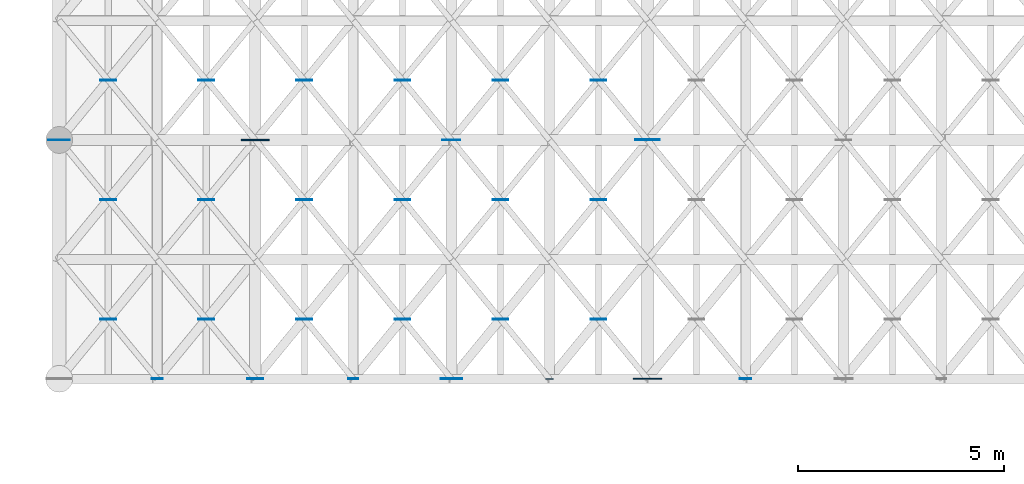
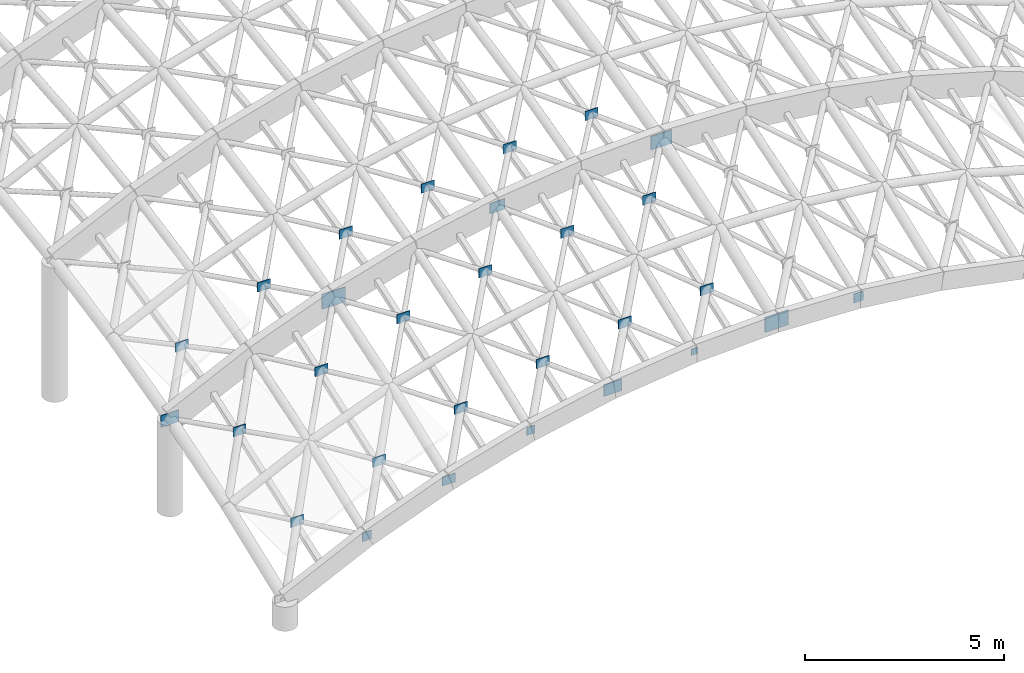
# One storey, part 123 of 146: 29 plates.
"""IFC4 building model written with IfcOpenShell, lengths in metres."""

from ifc_helpers import new_model, si_unit, direction, frame, origin, origin_2d, place, context, subcontext, project, spatial, rectangle, extrude, material, layer, layer_set, type_object, element, save


model = new_model("IFC4")

# Units and contexts
model_context = context("Model", 3, precision=1e-05, world=origin(), true_north=direction((0.0, 1.0)))
body_context = subcontext(model_context, "Body", "Model", "MODEL_VIEW")
ifc_project = project(units=[si_unit("LENGTHUNIT", "METRE"), si_unit("AREAUNIT", "SQUARE_METRE"), si_unit("VOLUMEUNIT", "CUBIC_METRE"), si_unit("PLANEANGLEUNIT", "RADIAN"), si_unit("MASSUNIT", "GRAM", prefix="KILO")], contexts=[model_context])

# Site, building, storey
site_placement = place(None, origin())
site = spatial("IfcSite", under=ifc_project, at=site_placement, CompositionType="ELEMENT")
building_placement = place(site_placement, origin())
building = spatial("IfcBuilding", under=site, at=building_placement, Name="Valcora Specialist Clinic", CompositionType="ELEMENT")
storey_placement = place(building_placement, frame((0.0, 0.0, 9.52001953125)))
storey = spatial("IfcBuildingStorey", under=building, at=storey_placement, Name="L02", CompositionType="ELEMENT", Elevation=9.52001953125)

# Plates
ifc_material = material(Name="Steel ASTM A572 Grade 50", Category="steel")
ifc_layer_1 = layer(ifc_material, 0.01611328125)
ifc_layer_set_1 = layer_set([ifc_layer_1], Name="Steel ASTM A572 Grade 50")
plate_type_1 = type_object("IfcPlateType", Name="TY-PL-EC168", PredefinedType="USERDEFINED", material=ifc_layer_set_1)
plate_1_placement = place(storey_placement, frame((12.625, 38.75, 4.10693359375), z_axis=(0.0, 0.0, 1.0), x_axis=(1.0, 0.0, 0.0)))
element("IfcPlate", 1, at=plate_1_placement, inside=storey, type_object=plate_type_1, Name="Gridshell chord end-cap 3", ObjectType="FLANGE_PLATE", PredefinedType="USERDEFINED", context=body_context, shape_type="SweptSolid", body=[
    extrude(rectangle(XDim=0.18994140625, YDim=0.01611328125, at=origin_2d()), origin(), (0.0, 0.0, 1.0), 0.18994140625),
])
ifc_layer_2 = layer(ifc_material, 0.01806640625)
ifc_layer_set_2 = layer_set([ifc_layer_2], Name="Steel ASTM A572 Grade 50")
plate_type_2 = type_object("IfcPlateType", Name="TY-PL-EC219", PredefinedType="USERDEFINED", material=ifc_layer_set_2)
plate_2_placement = place(storey_placement, frame((7.875, 38.75, 3.32568359375), z_axis=(0.0, 0.0, 1.0), x_axis=(1.0, 0.0, 0.0)))
element("IfcPlate", 2, at=plate_2_placement, inside=storey, type_object=plate_type_2, Name="Gridshell chord end-cap 2", ObjectType="FLANGE_PLATE", PredefinedType="USERDEFINED", context=body_context, shape_type="SweptSolid", body=[
    extrude(rectangle(XDim=0.239990234375, YDim=0.01806640625, at=origin_2d()), origin(), (0.0, 0.0, 1.0), 0.239990234375),
])
ifc_layer_3 = layer(ifc_material, 0.01806640625)
ifc_layer_set_3 = layer_set([ifc_layer_3], Name="Steel ASTM A572 Grade 50")
plate_type_3 = type_object("IfcPlateType", Name="TY-PL-EC244", PredefinedType="USERDEFINED", material=ifc_layer_set_3)
plate_3_placement = place(storey_placement, frame((3.125, 38.75, 1.737548828125), z_axis=(0.0, 0.0, 1.0), x_axis=(1.0, 0.0, 0.0)))
element("IfcPlate", 3, at=plate_3_placement, inside=storey, type_object=plate_type_3, Name="Gridshell chord end-cap 1", ObjectType="FLANGE_PLATE", PredefinedType="USERDEFINED", context=body_context, shape_type="SweptSolid", body=[
    extrude(rectangle(XDim=0.27001953125, YDim=0.01806640625, at=origin_2d()), origin(), (0.0, 0.0, 1.0), 0.27001953125),
])
ifc_layer_4 = layer(ifc_material, 0.02001953125)
ifc_layer_set_4 = layer_set([ifc_layer_4], Name="Steel ASTM A572 Grade 50")
plate_type_4 = type_object("IfcPlateType", Name="TY-PL-EC250", PredefinedType="USERDEFINED", material=ifc_layer_set_4)
plate_4_placement = place(storey_placement, frame((17.375, 38.75, 4.06201171875), z_axis=(0.0, 0.0, 1.0), x_axis=(1.0, 0.0, 0.0)))
element("IfcPlate", 4, at=plate_4_placement, inside=storey, type_object=plate_type_4, Name="Gridshell chord end-cap 4", ObjectType="FLANGE_PLATE", PredefinedType="USERDEFINED", context=body_context, shape_type="SweptSolid", body=[
    extrude(rectangle(XDim=0.280029296875, YDim=0.02001953125, at=origin_2d()), origin(), (0.0, 0.0, 1.0), 0.280029296875),
])
ifc_layer_5 = layer(ifc_material, 0.02587890625)
ifc_layer_set_5 = layer_set([ifc_layer_5], Name="Steel ASTM A572 Grade 50")
plate_type_5 = type_object("IfcPlateType", Name="TY-PL-GS1", PredefinedType="USERDEFINED", material=ifc_layer_set_5)
for number, where, z_axis, x_axis, name in (
    (5, (5.5, 44.535888671875, 4.591064453125), (0.0, 0.0, 1.0), (1.0, 0.0, 0.0), "Gridshell node gusset plate PL-GSN-010"),
    (6, (15.0, 38.75, 4.065185546875), (0.0, 0.0, 1.0), (1.0, 0.0, 0.0), "Gridshell node gusset plate PL-GSN-025"),
):
    element("IfcPlate", number, at=place(storey_placement, frame(where, z_axis=z_axis, x_axis=x_axis)), inside=storey, type_object=plate_type_5, Name=name, ObjectType="GUSSET_PLATE", PredefinedType="USERDEFINED", context=body_context, shape_type="SweptSolid", body=[
        extrude(rectangle(XDim=0.679931640625, YDim=0.02587890625, at=origin_2d()), origin(), (0.0, 0.0, 1.0), 0.4599609375),
    ])
ifc_layer_6 = layer(ifc_material, 0.02392578125)
ifc_layer_set_6 = layer_set([ifc_layer_6], Name="Steel ASTM A572 Grade 50")
plate_type_6 = type_object("IfcPlateType", Name="TY-PL-GS2", PredefinedType="USERDEFINED", material=ifc_layer_set_6)
plate_5_placement = place(storey_placement, frame((15.0, 44.535888671875, 6.137939453125), z_axis=(0.0, 0.0, 1.0), x_axis=(1.0, 0.0, 0.0)))
element("IfcPlate", 7, at=plate_5_placement, inside=storey, type_object=plate_type_6, Name="Gridshell node gusset plate PL-GSN-026", ObjectType="GUSSET_PLATE", PredefinedType="USERDEFINED", context=body_context, shape_type="SweptSolid", body=[
    extrude(rectangle(XDim=0.60009765625, YDim=0.02392578125, at=origin_2d()), origin(), (0.0, 0.0, 1.0), 0.419921875),
])
ifc_layer_7 = layer(ifc_material, 0.02197265625)
ifc_layer_set_7 = layer_set([ifc_layer_7], Name="Steel ASTM A572 Grade 50")
plate_type_7 = type_object("IfcPlateType", Name="TY-PL-GS3", PredefinedType="USERDEFINED", material=ifc_layer_set_7)
for number, where, z_axis, x_axis, name in (
    (8, (0.75, 44.535888671875, 2.60986328125), (0.0, 0.0, 1.0), (1.0, 0.0, 0.0), "Gridshell node gusset plate PL-GSN-002"),
    (9, (10.25, 38.75, 3.74072265625), (0.0, 0.0, 1.0), (1.0, 0.0, 0.0), "Gridshell node gusset plate PL-GSN-017"),
):
    element("IfcPlate", number, at=place(storey_placement, frame(where, z_axis=z_axis, x_axis=x_axis)), inside=storey, type_object=plate_type_7, Name=name, ObjectType="GUSSET_PLATE", PredefinedType="USERDEFINED", context=body_context, shape_type="SweptSolid", body=[
        extrude(rectangle(XDim=0.52001953125, YDim=0.02197265625, at=origin_2d()), origin(), (0.0, 0.0, 1.0), 0.360107421875),
    ])
ifc_layer_8 = layer(ifc_material, 0.02001953125)
ifc_layer_set_8 = layer_set([ifc_layer_8], Name="Steel ASTM A572 Grade 50")
plate_type_8 = type_object("IfcPlateType", Name="TY-PL-GS4", PredefinedType="USERDEFINED", material=ifc_layer_set_8)
plate_6_placement = place(storey_placement, frame((10.25, 44.535888671875, 5.8134765625), z_axis=(0.0, 0.0, 1.0), x_axis=(1.0, 0.0, 0.0)))
element("IfcPlate", 10, at=plate_6_placement, inside=storey, type_object=plate_type_8, Name="Gridshell node gusset plate PL-GSN-018", ObjectType="GUSSET_PLATE", PredefinedType="USERDEFINED", context=body_context, shape_type="SweptSolid", body=[
    extrude(rectangle(XDim=0.43994140625, YDim=0.02001953125, at=origin_2d()), origin(), (0.0, 0.0, 1.0), 0.320068359375),
])
ifc_layer_9 = layer(ifc_material, 0.01806640625)
ifc_layer_set_9 = layer_set([ifc_layer_9], Name="Steel ASTM A572 Grade 50")
plate_type_9 = type_object("IfcPlateType", Name="TY-PL-GS5", PredefinedType="USERDEFINED", material=ifc_layer_set_9)
for number, where, z_axis, x_axis, name in (
    (11, (5.5, 38.75, 2.6279296875), (0.0, 0.0, 1.0), (1.0, 0.0, 0.0), "Gridshell node gusset plate PL-GSN-009"),
    (12, (1.9375, 40.196533203125, 1.72607421875), (0.0, 0.0, 1.0), (1.0, 0.0, 0.0), "Gridshell X-brace crossing gusset 0-0"),
    (13, (1.9375, 43.089599609375, 2.75244140625), (0.0, 0.0, 1.0), (1.0, 0.0, 0.0), "Gridshell X-brace crossing gusset 0-1"),
    (14, (1.9375, 45.982421875, 3.591796875), (0.0, 0.0, 1.0), (1.0, 0.0, 0.0), "Gridshell X-brace crossing gusset 0-2"),
    (15, (4.3125, 40.196533203125, 2.74169921875), (0.0, 0.0, 1.0), (1.0, 0.0, 0.0), "Gridshell X-brace crossing gusset 1-0"),
    (16, (4.3125, 43.089599609375, 3.76806640625), (0.0, 0.0, 1.0), (1.0, 0.0, 0.0), "Gridshell X-brace crossing gusset 1-1"),
    (17, (4.3125, 45.982421875, 4.607421875), (0.0, 0.0, 1.0), (1.0, 0.0, 0.0), "Gridshell X-brace crossing gusset 1-2"),
    (18, (6.6875, 40.196533203125, 3.5283203125), (0.0, 0.0, 1.0), (1.0, 0.0, 0.0), "Gridshell X-brace crossing gusset 2-0"),
    (19, (6.6875, 43.089599609375, 4.5546875), (0.0, 0.0, 1.0), (1.0, 0.0, 0.0), "Gridshell X-brace crossing gusset 2-1"),
    (20, (6.6875, 45.982421875, 5.39404296875), (0.0, 0.0, 1.0), (1.0, 0.0, 0.0), "Gridshell X-brace crossing gusset 2-2"),
    (21, (9.0625, 40.196533203125, 4.1044921875), (0.0, 0.0, 1.0), (1.0, 0.0, 0.0), "Gridshell X-brace crossing gusset 3-0"),
    (22, (9.0625, 43.089599609375, 5.130859375), (0.0, 0.0, 1.0), (1.0, 0.0, 0.0), "Gridshell X-brace crossing gusset 3-1"),
    (23, (9.0625, 45.982421875, 5.97021484375), (0.0, 0.0, 1.0), (1.0, 0.0, 0.0), "Gridshell X-brace crossing gusset 3-2"),
    (24, (11.4375, 40.196533203125, 4.482421875), (0.0, 0.0, 1.0), (1.0, 0.0, 0.0), "Gridshell X-brace crossing gusset 4-0"),
    (25, (11.4375, 43.089599609375, 5.5087890625), (0.0, 0.0, 1.0), (1.0, 0.0, 0.0), "Gridshell X-brace crossing gusset 4-1"),
    (26, (11.4375, 45.982421875, 6.34814453125), (0.0, 0.0, 1.0), (1.0, 0.0, 0.0), "Gridshell X-brace crossing gusset 4-2"),
    (27, (13.8125, 40.196533203125, 4.669921875), (0.0, 0.0, 1.0), (1.0, 0.0, 0.0), "Gridshell X-brace crossing gusset 5-0"),
    (28, (13.8125, 43.089599609375, 5.6962890625), (0.0, 0.0, 1.0), (1.0, 0.0, 0.0), "Gridshell X-brace crossing gusset 5-1"),
    (29, (13.8125, 45.982421875, 6.53564453125), (0.0, 0.0, 1.0), (1.0, 0.0, 0.0), "Gridshell X-brace crossing gusset 5-2"),
):
    element("IfcPlate", number, at=place(storey_placement, frame(where, z_axis=z_axis, x_axis=x_axis)), inside=storey, type_object=plate_type_9, Name=name, ObjectType="GUSSET_PLATE", PredefinedType="USERDEFINED", context=body_context, shape_type="SweptSolid", body=[
        extrude(rectangle(XDim=0.3798828125, YDim=0.01806640625, at=origin_2d()), origin(), (0.0, 0.0, 1.0), 0.280029296875),
    ])

save(model, "model.ifc")
